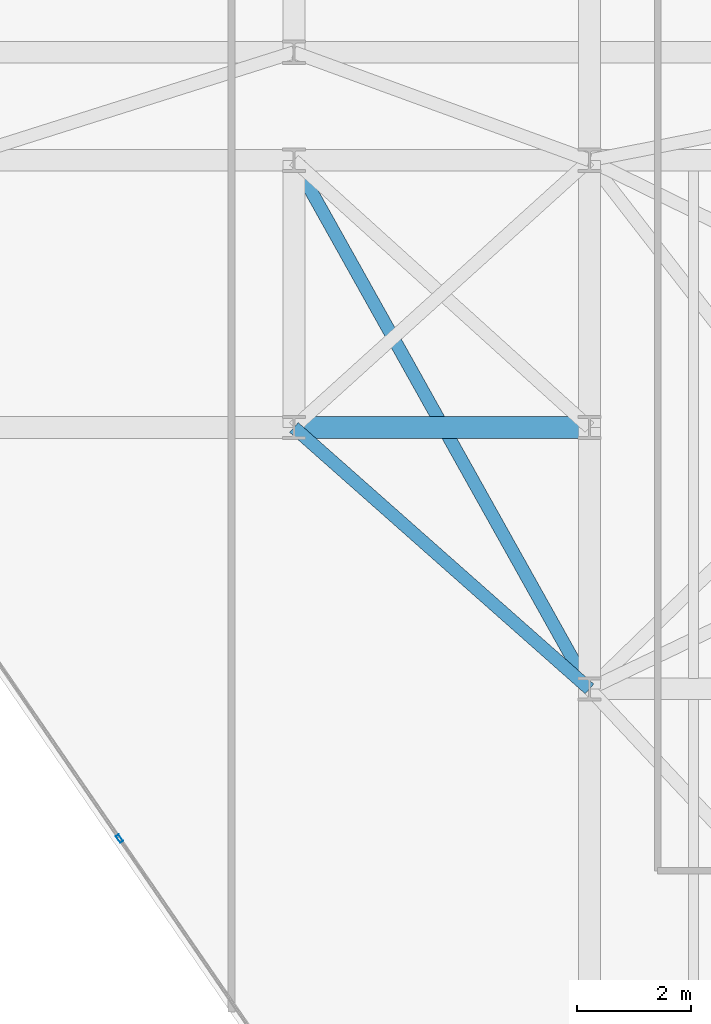
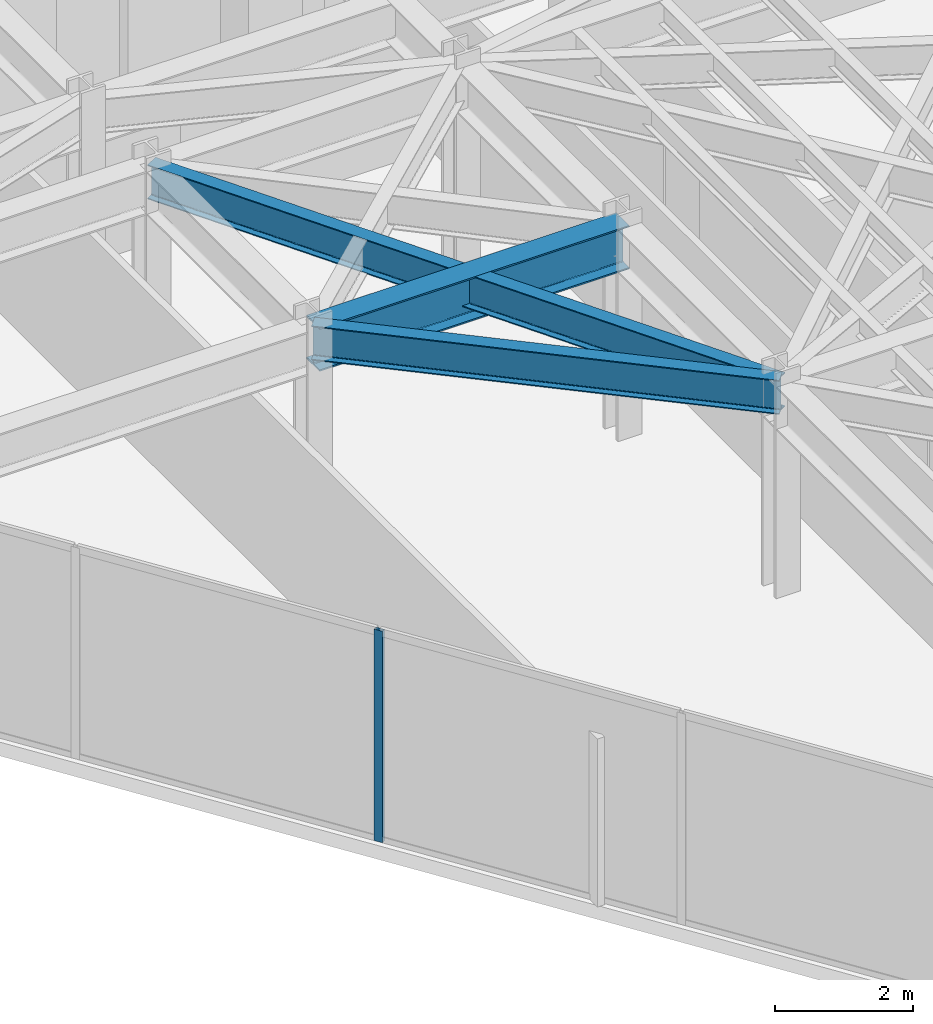
# One storey, part 18 of 26: 3 beams, 1 member, 1 element without a shape of its own.
"""IFC4 building model written with IfcOpenShell, lengths in metres."""

import ifcopenshell
import ifcopenshell.guid

model = None  # the IFC model being written
_history = None  # IfcOwnerHistory: only IFC2X3 demands one
_inside = {}  # id of a spatial element -> (the spatial element, [elements in it])
_under = {}  # id of a project, library or spatial element -> (it, [spatial elements below it])
_declared = {}  # id of a project -> (the project, [libraries it declares])
_typed = {}  # id of a type object -> (the type object, [elements of that type])
_made_of = {}  # id of a material, layer set ... -> (it, [elements and type objects made of it])


def new_model(schema):
    """Start an empty IFC model of exactly this schema.

    Asked for "IFC4X3", IfcOpenShell would pick the latest addendum, in which some entities
    have other attributes; the version numbers below select the first issue.
    IFC2X3 requires an IfcOwnerHistory on every rooted entity: one is made here for all.
    """
    global model, _history
    if schema == "IFC4X3":
        model = ifcopenshell.file(schema_version=(4, 3, 0, 0))
    else:
        model = ifcopenshell.file(schema=schema)
    _inside.clear()
    _under.clear()
    _declared.clear()
    _typed.clear()
    _made_of.clear()
    _history = None
    if model.schema == "IFC2X3":
        org = make("IfcOrganization", Name="unknown")
        user = make(
            "IfcPersonAndOrganization",
            ThePerson=make("IfcPerson", FamilyName="unknown"),
            TheOrganization=org,
        )
        app = make(
            "IfcApplication",
            ApplicationDeveloper=org,
            Version="unknown",
            ApplicationFullName="unknown",
            ApplicationIdentifier="unknown",
        )
        _history = make(
            "IfcOwnerHistory",
            OwningUser=user,
            OwningApplication=app,
            ChangeAction="ADDED",
            CreationDate=0,
        )
    return model


def make(cls, **values):
    """One entity of the class cls with the attributes given. An attribute that is None is left unset."""
    return model.create_entity(
        cls, **{name: value for name, value in values.items() if value is not None}
    )


def rooted(cls, **values):
    """An entity with a GlobalId (a new one), such as an element, a storey or a relation."""
    return make(cls, GlobalId=ifcopenshell.guid.new(), OwnerHistory=_history, **values)


def si_unit(unit_type, name, prefix=None):
    """IfcSIUnit, for example si_unit("LENGTHUNIT", "METRE", prefix="MILLI")."""
    return make("IfcSIUnit", UnitType=unit_type, Prefix=prefix, Name=name)


def assignment(units):
    """IfcUnitAssignment: the units of a project."""
    return None if units is None else make("IfcUnitAssignment", Units=units)


def point(xyz):
    """IfcCartesianPoint."""
    return None if xyz is None else make("IfcCartesianPoint", Coordinates=xyz)


def direction(xyz):
    """IfcDirection."""
    return None if xyz is None else make("IfcDirection", DirectionRatios=xyz)


def frame(location, z_axis=None, x_axis=None):
    """IfcAxis2Placement3D, a coordinate frame: its origin and axes. An axis left out is left unset."""
    return make(
        "IfcAxis2Placement3D",
        Location=point(location),
        Axis=direction(z_axis),
        RefDirection=direction(x_axis),
    )


def frame_2d(location, x_axis=None):
    """IfcAxis2Placement2D, a coordinate frame in the plane: its origin and x axis."""
    return make(
        "IfcAxis2Placement2D", Location=point(location), RefDirection=direction(x_axis)
    )


def origin():
    """The frame at (0, 0, 0) with its axes left unset."""
    return frame((0.0, 0.0, 0.0))


def origin_2d():
    """The frame at (0, 0) in the plane with its x axis left unset."""
    return frame_2d((0.0, 0.0))


def place(relative_to, where):
    """IfcLocalPlacement: puts the frame where relative to a parent placement (None: the world)."""
    return make(
        "IfcLocalPlacement", PlacementRelTo=relative_to, RelativePlacement=where
    )


def context(
    kind, dimensions, precision=None, world=None, true_north=None, identifier=None
):
    """IfcGeometricRepresentationContext, for example the 3D "Model" context."""
    return make(
        "IfcGeometricRepresentationContext",
        ContextIdentifier=identifier,
        ContextType=kind,
        CoordinateSpaceDimension=dimensions,
        Precision=precision,
        WorldCoordinateSystem=world,
        TrueNorth=true_north,
    )


def subcontext(parent, identifier, kind, view, scale=None):
    """IfcGeometricRepresentationSubContext, for example "Body" below "Model"."""
    return make(
        "IfcGeometricRepresentationSubContext",
        ContextIdentifier=identifier,
        ContextType=kind,
        ParentContext=parent,
        TargetScale=scale,
        TargetView=view,
    )


def project(units=None, contexts=None):
    """IfcProject with its units and contexts."""
    return rooted(
        "IfcProject",
        Name="project",
        RepresentationContexts=contexts,
        UnitsInContext=assignment(units),
    )


def spatial(cls, under=None, at=None, **own):
    """A site, building, storey or space (cls), placed at a placement, below another one or the project."""
    s = rooted(cls, ObjectPlacement=at, **own)
    if under is not None:
        _under.setdefault(under.id(), (under, []))[1].append(s)
    return s


def profile(cls, at=None, kind="AREA", **sizes):
    """A parametric profile (cls). Its sizes go by their IFC names, for example OverallWidth=200.0."""
    return make(cls, ProfileType=kind, Position=at, **sizes)


def hollow_rectangle(**sizes):
    """IfcRectangleHollowProfileDef."""
    return profile("IfcRectangleHollowProfileDef", **sizes)


def i_section(**sizes):
    """IfcIShapeProfileDef."""
    return profile("IfcIShapeProfileDef", **sizes)


def extrude(swept, where, along, depth):
    """IfcExtrudedAreaSolid: the profile swept, set in the frame where, extruded along a direction by depth."""
    return make(
        "IfcExtrudedAreaSolid",
        SweptArea=swept,
        Position=where,
        ExtrudedDirection=direction(along),
        Depth=depth,
    )


def shape(context_of_items, identifier, shape_type, items):
    """IfcShapeRepresentation: the items that make up one representation, for example the "Body"."""
    return make(
        "IfcShapeRepresentation",
        ContextOfItems=context_of_items,
        RepresentationIdentifier=identifier,
        RepresentationType=shape_type,
        Items=items,
    )


def material(Name=None, Category=None):
    """IfcMaterial."""
    return make("IfcMaterial", Name=Name, Category=Category)


def layer(
    of_material, thickness, ventilated=None, Name=None, Category=None, Priority=None
):
    """IfcMaterialLayer: one layer of a wall or slab, of a material (None: an air gap)."""
    return make(
        "IfcMaterialLayer",
        Material=of_material,
        LayerThickness=thickness,
        IsVentilated=ventilated,
        Name=Name,
        Category=Category,
        Priority=Priority,
    )


def layer_set(layers, Name=None):
    """IfcMaterialLayerSet."""
    return make("IfcMaterialLayerSet", MaterialLayers=layers, LayerSetName=Name)


def material_profile(
    of_material, cross_section, Name=None, Category=None, Priority=None
):
    """IfcMaterialProfile: a cross section and its material."""
    return make(
        "IfcMaterialProfile",
        Name=Name,
        Material=of_material,
        Profile=cross_section,
        Priority=Priority,
        Category=Category,
    )


def profile_set(profiles, Name=None, composite=None):
    """IfcMaterialProfileSet."""
    return make(
        "IfcMaterialProfileSet",
        Name=Name,
        MaterialProfiles=profiles,
        CompositeProfile=composite,
    )


def made_of(thing, what):
    """Note that an element or type object is made of a material, layer set ...; save() writes the relation."""
    if what is not None:
        _made_of.setdefault(what.id(), (what, []))[1].append(thing)
    return thing


def type_object(cls, material=None, **own):
    """A type object (cls), such as IfcWallType, which elements share."""
    return made_of(rooted(cls, **own), material)


def element(
    cls,
    number,
    at=None,
    inside=None,
    cuts=None,
    type_object=None,
    material=None,
    context=None,
    identifier="Body",
    shape_type=None,
    held_by="IfcProductDefinitionShape",
    body=None,
    shapes=None,
    **own,
):
    """One element of the class cls, such as IfcWall. Its Tag is "e" and its number.

    at: its placement. inside: the storey or other place that contains it. cuts: it is an
    opening in that element (IfcRelVoidsElement). A single representation is given by context,
    identifier, shape_type and body (its items); several are given by shapes. held_by: the class
    of the entity that holds the representations. save() writes the other relations.
    """
    e = rooted(cls, Tag="e%d" % number, ObjectPlacement=at, **own)
    if body is not None:
        shapes = [shape(context, identifier, shape_type, body)]
    if shapes is not None:
        e.Representation = make(held_by, Representations=shapes)
    if inside is not None:
        _inside.setdefault(inside.id(), (inside, []))[1].append(e)
    if cuts is not None:
        rooted(
            "IfcRelVoidsElement", RelatingBuildingElement=cuts, RelatedOpeningElement=e
        )
    if type_object is not None:
        _typed.setdefault(type_object.id(), (type_object, []))[1].append(e)
    return made_of(e, material)


def aggregate(whole, parts):
    """IfcRelAggregates: a whole, such as a stair, and the parts it consists of."""
    return rooted("IfcRelAggregates", RelatingObject=whole, RelatedObjects=parts)


def save(model, path):
    """Write the relations noted so far, then the file.

    IfcRelAggregates (storeys below a building ...), IfcRelContainedInSpatialStructure (elements
    in a storey), IfcRelDefinesByType, IfcRelAssociatesMaterial and IfcRelDeclares: one each for
    every whole, place, type object, material and project.
    """
    for whole, parts in _under.values():
        aggregate(whole, parts)
    for where, things in _inside.values():
        rooted(
            "IfcRelContainedInSpatialStructure",
            RelatedElements=things,
            RelatingStructure=where,
        )
    for kind, things in _typed.values():
        rooted("IfcRelDefinesByType", RelatedObjects=things, RelatingType=kind)
    for what, things in _made_of.values():
        rooted("IfcRelAssociatesMaterial", RelatedObjects=things, RelatingMaterial=what)
    for by, libraries in _declared.values():
        rooted("IfcRelDeclares", RelatingContext=by, RelatedDefinitions=libraries)
    model.write(path)


model = new_model("IFC4")

# Units and contexts
model_context = context("Model", 3, precision=1e-05, world=origin(), true_north=direction((0.0, 1.0)))
body_context = subcontext(model_context, "Body", "Model", "MODEL_VIEW")
ifc_project = project(units=[si_unit("LENGTHUNIT", "METRE"), si_unit("AREAUNIT", "SQUARE_METRE"), si_unit("VOLUMEUNIT", "CUBIC_METRE"), si_unit("PLANEANGLEUNIT", "RADIAN"), si_unit("MASSUNIT", "GRAM", prefix="KILO")], contexts=[model_context])

# Site, building, storey
site_placement = place(None, origin())
site = spatial("IfcSite", under=ifc_project, at=site_placement, CompositionType="ELEMENT")
building_placement = place(site_placement, origin())
building = spatial("IfcBuilding", under=site, at=building_placement, Name="Kravanh Interchange Tower", CompositionType="ELEMENT")
storey_placement = place(building_placement, frame((0.0, 0.0, 180.5)))
storey = spatial("IfcBuildingStorey", under=building, at=storey_placement, Name="L43", CompositionType="ELEMENT", Elevation=180.5)

# Curtain wall, member
ifc_material_1 = material(Name="Anodised Bronze Aluminium", Category="aluminium")
ifc_layer = layer(ifc_material_1, 0.179931640625)
ifc_layer_set = layer_set([ifc_layer], Name="Unitised Curtain Wall System CW-Z3 Upper Office")
curtain_wall_type = type_object("IfcCurtainWallType", Name="Unitised Curtain Wall System CW-Z3 Upper Office", PredefinedType="NOTDEFINED", material=ifc_layer_set)
curtain_wall_placement = place(storey_placement, origin())
curtain_wall = element("IfcCurtainWall", 1, at=curtain_wall_placement, inside=storey, type_object=curtain_wall_type, Name="L43 Unitised Curtain Wall CW-L43-04", PredefinedType="NOTDEFINED")
ifc_material_2 = material(Name="Anodised Bronze Aluminium", Category="aluminium")
ifc_material_profile_1 = material_profile(ifc_material_2, hollow_rectangle(XDim=0.06005859375, YDim=0.139892578125, WallThickness=0.00390625, at=origin_2d()), Name="ALU60X140X4")
ifc_profile_set_1 = profile_set([ifc_material_profile_1], Name="Anodised Bronze Aluminium")
member_type = type_object("IfcMemberType", Name="Curtain Wall Mullion ALU60X140X4 Bronze", PredefinedType="MULLION", material=ifc_profile_set_1)
member_placement = place(storey_placement, frame((47.7314453125, 19.56591796875, 0.0), z_axis=(0.0, 0.0, 1.0), x_axis=(-0.824042223035, -0.566528388217, 0.0)))
member = element("IfcMember", 2, at=member_placement, type_object=member_type, Name="CW-Z3 mullion 3", PredefinedType="MULLION", context=body_context, shape_type="SweptSolid", body=[
    extrude(hollow_rectangle(XDim=0.06005859375, YDim=0.139892578125, WallThickness=0.00390625, at=origin_2d()), origin(), (0.0, 0.0, 1.0), 3.7548828125),
])
aggregate(curtain_wall, [member])

# Beams
ifc_material_3 = material(Name="Structural Steel S355", Category="steel")
ifc_material_profile_2 = material_profile(ifc_material_3, i_section(OverallWidth=0.381103515625, OverallDepth=0.77294921875, WebThickness=0.0166015625, FlangeThickness=0.027099609375, FilletRadius=0.02490234375, at=origin_2d()), Name="W30X173")
ifc_profile_set_2 = profile_set([ifc_material_profile_2], Name="Structural Steel S355")
beam_type_1 = type_object("IfcBeamType", Name="Floor Beam W30X173 Structural Steel S355", PredefinedType="BEAM", material=ifc_profile_set_2)
beam_1_placement = place(storey_placement, frame((50.800048828125, 26.800048828125, 3.368408203125), z_axis=(1.0, 0.0, 0.0), x_axis=(0.0, 1.0, 0.0)))
element("IfcBeam", 3, at=beam_1_placement, inside=storey, type_object=beam_type_1, Name="L43 Primary Floor Girder 50", PredefinedType="BEAM", context=body_context, shape_type="SweptSolid", body=[
    extrude(i_section(OverallWidth=0.381103515625, OverallDepth=0.77294921875, WebThickness=0.0166015625, FlangeThickness=0.027099609375, FilletRadius=0.02490234375, at=origin_2d()), origin(), (0.0, 0.0, 1.0), 5.199951171875),
])
ifc_material_4 = material(Name="Structural Steel S355", Category="steel")
ifc_material_profile_3 = material_profile(ifc_material_4, i_section(OverallWidth=0.22802734375, OverallDepth=0.60791015625, WebThickness=0.01123046875, FlangeThickness=0.017333984375, FilletRadius=0.02197265625, at=origin_2d()), Name="W24X76")
ifc_profile_set_3 = profile_set([ifc_material_profile_3], Name="Structural Steel S355")
beam_type_2 = type_object("IfcBeamType", Name="Floor Spandrel W24X76 Structural Steel S355", PredefinedType="SPANDREL", material=ifc_profile_set_3)
beam_2_placement = place(storey_placement, frame((50.800048828125, 26.800048828125, 3.450927734375), z_axis=(0.74898649432, -0.662585263439, 0.0), x_axis=(0.662585263439, 0.74898649432, 0.0)))
element("IfcBeam", 4, at=beam_2_placement, inside=storey, type_object=beam_type_2, Name="L43 Perimeter Spandrel 51", PredefinedType="SPANDREL", context=body_context, shape_type="SweptSolid", body=[
    extrude(i_section(OverallWidth=0.22802734375, OverallDepth=0.60791015625, WebThickness=0.01123046875, FlangeThickness=0.017333984375, FilletRadius=0.02197265625, at=origin_2d()), origin(), (0.0, 0.0, 1.0), 6.942626953125),
])
beam_3_placement = place(storey_placement, frame((50.800048828125, 31.5, 3.450927734375), z_axis=(0.488026248114, -0.872828952975, 0.0), x_axis=(0.872828952975, 0.488026248114, 0.0)))
element("IfcBeam", 5, at=beam_3_placement, inside=storey, type_object=beam_type_2, Name="L43 Perimeter Spandrel 78", PredefinedType="SPANDREL", context=body_context, shape_type="SweptSolid", body=[
    extrude(i_section(OverallWidth=0.22802734375, OverallDepth=0.60791015625, WebThickness=0.01123046875, FlangeThickness=0.017333984375, FilletRadius=0.02197265625, at=origin_2d()), origin(), (0.0, 0.0, 1.0), 10.655029296875),
])

save(model, "model.ifc")
